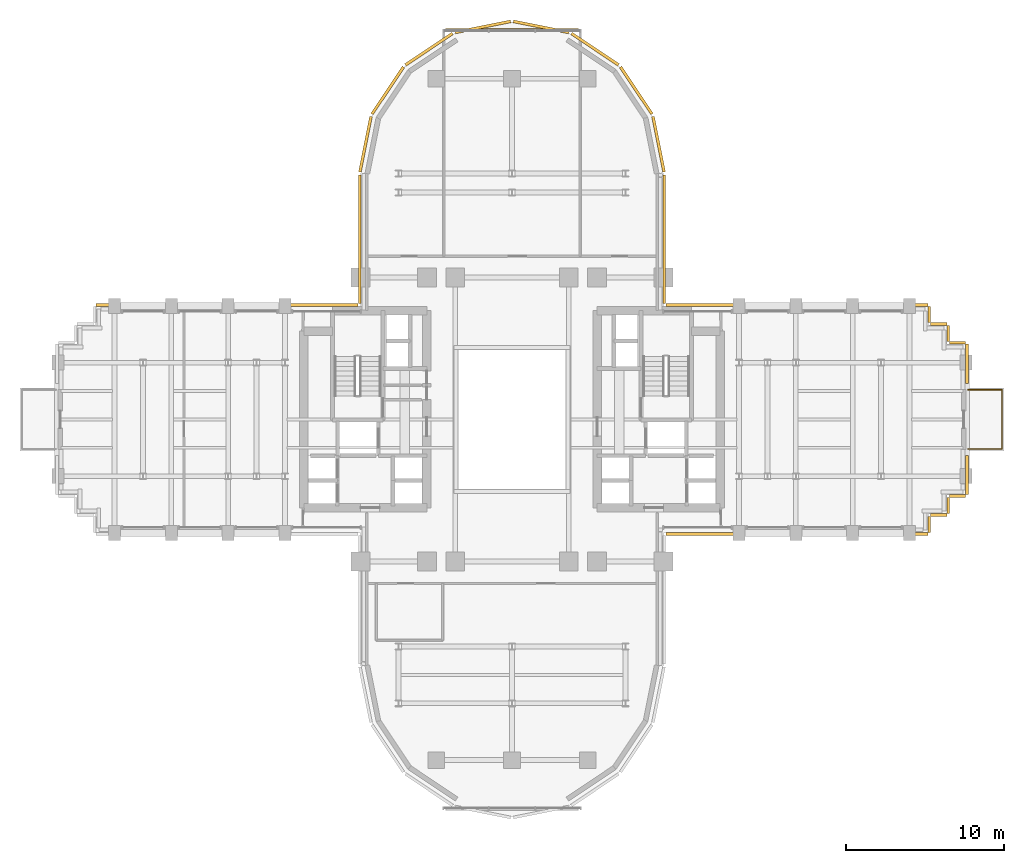
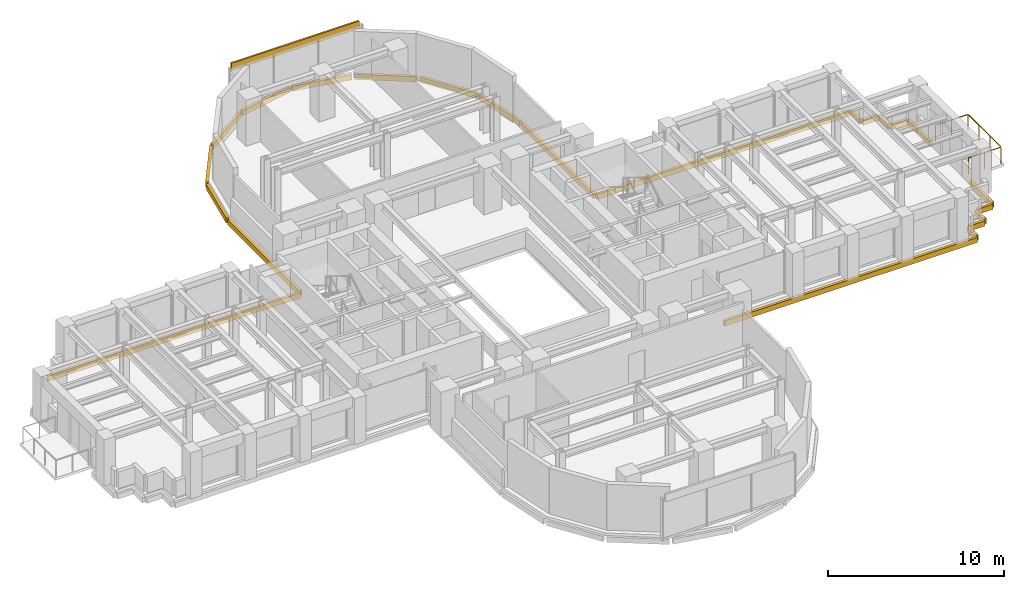
# One storey, part 15 of 15: 24 coverings, 1 railing.
"""IFC4 building model written with IfcOpenShell, lengths in metres."""

from ifc_helpers import new_model, si_unit, direction, frame, origin, origin_2d, place, context, subcontext, project, spatial, rectangle, extrude, source, transform, mapped, material, layer, layer_set, type_object, element, save


model = new_model("IFC4")

# Units and contexts
model_context = context("Model", 3, precision=1e-05, world=origin(), true_north=direction((0.0, 1.0)))
body_context = subcontext(model_context, "Body", "Model", "MODEL_VIEW")
ifc_project = project(units=[si_unit("LENGTHUNIT", "METRE"), si_unit("AREAUNIT", "SQUARE_METRE"), si_unit("VOLUMEUNIT", "CUBIC_METRE"), si_unit("PLANEANGLEUNIT", "RADIAN"), si_unit("MASSUNIT", "GRAM", prefix="KILO")], contexts=[model_context])

# Site, building, storey
site_placement = place(None, origin())
site = spatial("IfcSite", under=ifc_project, at=site_placement, CompositionType="ELEMENT")
building_placement = place(site_placement, origin())
building = spatial("IfcBuilding", under=site, at=building_placement, Name="Keilestroom Media Tower", CompositionType="ELEMENT")
storey_placement = place(building_placement, frame((0.0, 0.0, 47.60009765625)))
storey = spatial("IfcBuildingStorey", under=building, at=storey_placement, Name="L11", CompositionType="ELEMENT", Elevation=47.60009765625)

# Railing
ifc_material_1 = material(Name="Laminated Safety Glass & Stainless Steel", Category="steel")
railing_type = type_object("IfcRailingType", Name="Terrace-And-Atrium-Guard-Balustrade-GD-EXT", PredefinedType="BALUSTRADE", material=ifc_material_1)
railing_placement = place(storey_placement, frame((28.919921875, -1.8798828125, 0.0)))
element("IfcRailing", 1, at=railing_placement, inside=storey, type_object=railing_type, Name="L11 Terrace Perimeter Guard L11-E", PredefinedType="BALUSTRADE", context=body_context, shape_type="SweptSolid", body=[
    extrude(rectangle(XDim=0.048095703125, YDim=0.048095703125, at=origin_2d()), frame((0.0, 0.0, 1.1259765625), z_axis=(1.0, 0.0, 0.0), x_axis=(0.0, 1.0, 0.0)), (0.0, 0.0, 1.0), 2.112060546875),
    extrude(rectangle(XDim=0.048095703125, YDim=0.048095703125, at=origin_2d()), frame((2.16015625, 0.048095703125, 1.1259765625), z_axis=(0.0, 1.0, 0.0), x_axis=(-1.0, 0.0, 0.0)), (0.0, 0.0, 1.0), 3.66357421875),
    extrude(rectangle(XDim=0.048095703125, YDim=0.048095703125, at=origin_2d()), frame((2.112060546875, 3.759765625, 1.1259765625), z_axis=(-1.0, 0.0, 0.0), x_axis=(0.0, -1.0, 0.0)), (0.0, 0.0, 1.0), 2.112060546875),
    extrude(rectangle(XDim=0.0419921875, YDim=0.0419921875, at=origin_2d()), origin(), (0.0, 0.0, 1.0), 1.09375),
    extrude(rectangle(XDim=0.0419921875, YDim=0.0419921875, at=origin_2d()), frame((1.080078125, 0.0, 0.0)), (0.0, 0.0, 1.0), 1.09375),
    extrude(rectangle(XDim=0.0419921875, YDim=0.0419921875, at=origin_2d()), frame((2.16015625, 0.0, 0.0)), (0.0, 0.0, 1.0), 1.09375),
    extrude(rectangle(XDim=0.0419921875, YDim=0.0419921875, at=origin_2d()), frame((2.16015625, 1.253173828125, 0.0)), (0.0, 0.0, 1.0), 1.09375),
    extrude(rectangle(XDim=0.0419921875, YDim=0.0419921875, at=origin_2d()), frame((2.16015625, 2.506591796875, 0.0)), (0.0, 0.0, 1.0), 1.09375),
    extrude(rectangle(XDim=0.0419921875, YDim=0.0419921875, at=origin_2d()), frame((2.16015625, 3.759765625, 0.0)), (0.0, 0.0, 1.0), 1.09375),
    extrude(rectangle(XDim=0.0419921875, YDim=0.0419921875, at=origin_2d()), frame((1.080078125, 3.759765625, 0.0)), (0.0, 0.0, 1.0), 1.09375),
    extrude(rectangle(XDim=0.0419921875, YDim=0.0419921875, at=origin_2d()), frame((0.0, 3.759765625, 0.0)), (0.0, 0.0, 1.0), 1.09375),
])

# Coverings
ifc_material_2 = material(Name="Precast concrete C40/50", Category="concrete")
ifc_layer = layer(ifc_material_2, 0.1201171875)
ifc_layer_set = layer_set([ifc_layer], Name="Precast concrete C40/50")
covering_type = type_object("IfcCoveringType", Name="Exterior-Precast-Spandrel-Cladding-Panel-120", PredefinedType="CLADDING", material=ifc_layer_set)
shared_shape_1 = source(origin(), body_context, "Body", "SweptSolid", [
    extrude(rectangle(XDim=8.39990234375, YDim=0.1201171875, at=origin_2d()), origin(), (0.0, 0.0, 1.0), 0.52001953125),
])
covering_placement = place(storey_placement, frame((0.0, 24.719970703125, 2.68994140625), z_axis=(0.0, 0.0, 1.0), x_axis=(1.0, 0.0, 0.0)))
element("IfcCovering", 2, at=covering_placement, inside=storey, type_object=covering_type, Name="L11 Precast Spandrel Cladding N", PredefinedType="CLADDING", context=body_context, shape_type="MappedRepresentation", body=[
    mapped(shared_shape_1, transform((0.0, 0.0, 0.0), x_axis=(1.0, 0.0, 0.0), y_axis=(0.0, 1.0, 0.0), z_axis=(0.0, 0.0, 1.0), scale=1.0)),
])
shared_shape_2 = source(origin(), body_context, "Body", "SweptSolid", [
    extrude(rectangle(XDim=1.02001953125, YDim=0.179931640625, at=origin_2d()), origin(), (0.0, 0.0, 1.0), 0.360107421875),
])
for number, where, z_axis, x_axis, name in (
    (3, (28.260009765625, -4.860107421875, -0.5400390625), (0.0, 0.0, 1.0), (-1.0, 0.0, 0.0), "L11 Precast Slab-Edge Fascia Cornice 01"),
    (4, (27.659912109375, -5.4599609375, -0.5400390625), (0.0, 0.0, 1.0), (0.0, -1.0, 0.0), "L11 Precast Slab-Edge Fascia Cornice 02"),
    (5, (27.06005859375, -6.06005859375, -0.5400390625), (0.0, 0.0, 1.0), (-1.0, 0.0, 0.0), "L11 Precast Slab-Edge Fascia Cornice 03"),
    (6, (26.4599609375, -6.659912109375, -0.5400390625), (0.0, 0.0, 1.0), (0.0, -1.0, 0.0), "L11 Precast Slab-Edge Fascia Cornice 04"),
    (7, (26.4599609375, 6.659912109375, -0.5400390625), (0.0, 0.0, 1.0), (0.0, -1.0, 0.0), "L11 Precast Slab-Edge Fascia Cornice 39"),
    (8, (27.06005859375, 6.06005859375, -0.5400390625), (0.0, 0.0, 1.0), (1.0, 0.0, 0.0), "L11 Precast Slab-Edge Fascia Cornice 40"),
    (9, (27.659912109375, 5.4599609375, -0.5400390625), (0.0, 0.0, 1.0), (0.0, -1.0, 0.0), "L11 Precast Slab-Edge Fascia Cornice 41"),
    (10, (28.260009765625, 4.860107421875, -0.5400390625), (0.0, 0.0, 1.0), (1.0, 0.0, 0.0), "L11 Precast Slab-Edge Fascia Cornice 42"),
):
    element("IfcCovering", number, at=place(storey_placement, frame(where, z_axis=z_axis, x_axis=x_axis)), inside=storey, type_object=covering_type, Name=name, PredefinedType="CLADDING", context=body_context, shape_type="MappedRepresentation", body=[
        mapped(shared_shape_2, transform((0.0, 0.0, 0.0), x_axis=(1.0, 0.0, 0.0), y_axis=(0.0, 1.0, 0.0), z_axis=(0.0, 0.0, 1.0), scale=1.0)),
    ])
shared_shape_3 = source(origin(), body_context, "Body", "SweptSolid", [
    extrude(rectangle(XDim=16.6201171875, YDim=0.179931640625, at=origin_2d()), origin(), (0.0, 0.0, 1.0), 0.360107421875),
])
for number, where, z_axis, x_axis, name in (
    (11, (18.06005859375, -7.260009765625, -0.5400390625), (0.0, 0.0, 1.0), (-1.0, 0.0, 0.0), "L11 Precast Slab-Edge Fascia Cornice 05"),
    (12, (-18.06005859375, 7.260009765625, -0.5400390625), (0.0, 0.0, 1.0), (1.0, 0.0, 0.0), "L11 Precast Slab-Edge Fascia Cornice 27"),
    (13, (18.06005859375, 7.260009765625, -0.5400390625), (0.0, 0.0, 1.0), (1.0, 0.0, 0.0), "L11 Precast Slab-Edge Fascia Cornice 38"),
):
    element("IfcCovering", number, at=place(storey_placement, frame(where, z_axis=z_axis, x_axis=x_axis)), inside=storey, type_object=covering_type, Name=name, PredefinedType="CLADDING", context=body_context, shape_type="MappedRepresentation", body=[
        mapped(shared_shape_3, transform((0.0, 0.0, 0.0), x_axis=(1.0, 0.0, 0.0), y_axis=(0.0, 1.0, 0.0), z_axis=(0.0, 0.0, 1.0), scale=1.0)),
    ])
shared_shape_4 = source(origin(), body_context, "Body", "SweptSolid", [
    extrude(rectangle(XDim=8.166015625, YDim=0.179931640625, at=origin_2d()), origin(), (0.0, 0.0, 1.0), 0.360107421875),
])
for number, where, z_axis, x_axis, name in (
    (14, (-9.659912109375, 11.43310546875, -0.5400390625), (0.0, 0.0, 1.0), (0.0, 1.0, 0.0), "L11 Precast Slab-Edge Fascia Cornice 28"),
    (15, (9.659912109375, 11.43310546875, -0.5400390625), (0.0, 0.0, 1.0), (0.0, -1.0, 0.0), "L11 Precast Slab-Edge Fascia Cornice 37"),
):
    element("IfcCovering", number, at=place(storey_placement, frame(where, z_axis=z_axis, x_axis=x_axis)), inside=storey, type_object=covering_type, Name=name, PredefinedType="CLADDING", context=body_context, shape_type="MappedRepresentation", body=[
        mapped(shared_shape_4, transform((0.0, 0.0, 0.0), x_axis=(1.0, 0.0, 0.0), y_axis=(0.0, 1.0, 0.0), z_axis=(0.0, 0.0, 1.0), scale=1.0)),
    ])
shared_shape_5 = source(origin(), body_context, "Body", "SweptSolid", [
    extrude(rectangle(XDim=3.58349609375, YDim=0.179931640625, at=origin_2d()), origin(), (0.0, 0.0, 1.0), 0.360107421875),
])
for number, where, z_axis, x_axis, name in (
    (16, (-9.29296875, 17.45166015625, -0.5400390625), (0.0, 0.0, 1.0), (0.195098880975, 0.980783577882, 0.0), "L11 Precast Slab-Edge Fascia Cornice 29"),
    (17, (9.29296875, 17.45166015625, -0.5400390625), (0.0, 0.0, 1.0), (0.195098880975, -0.980783577882, 0.0), "L11 Precast Slab-Edge Fascia Cornice 36"),
):
    element("IfcCovering", number, at=place(storey_placement, frame(where, z_axis=z_axis, x_axis=x_axis)), inside=storey, type_object=covering_type, Name=name, PredefinedType="CLADDING", context=body_context, shape_type="MappedRepresentation", body=[
        mapped(shared_shape_5, transform((0.0, 0.0, 0.0), x_axis=(1.0, 0.0, 0.0), y_axis=(0.0, 1.0, 0.0), z_axis=(0.0, 0.0, 1.0), scale=1.0)),
    ])
shared_shape_6 = source(origin(), body_context, "Body", "SweptSolid", [
    extrude(rectangle(XDim=3.589599609375, YDim=0.179931640625, at=origin_2d()), origin(), (0.0, 0.0, 1.0), 0.360107421875),
])
for number, where, z_axis, x_axis, name in (
    (18, (-7.878662109375, 20.8642578125, -0.5400390625), (0.0, 0.0, 1.0), (0.555574586577, 0.831466703332, 0.0), "L11 Precast Slab-Edge Fascia Cornice 30"),
    (19, (-5.264404296875, 23.478515625, -0.5400390625), (0.0, 0.0, 1.0), (0.831466703332, 0.555574586577, 0.0), "L11 Precast Slab-Edge Fascia Cornice 31"),
    (20, (-1.8486328125, 24.893310546875, -0.5400390625), (0.0, 0.0, 1.0), (0.980783577882, 0.195098880975, 0.0), "L11 Precast Slab-Edge Fascia Cornice 32"),
    (21, (1.8486328125, 24.893310546875, -0.5400390625), (0.0, 0.0, 1.0), (0.980783577882, -0.195098880975, 0.0), "L11 Precast Slab-Edge Fascia Cornice 33"),
    (22, (5.264404296875, 23.478515625, -0.5400390625), (0.0, 0.0, 1.0), (0.831466703332, -0.555574586577, 0.0), "L11 Precast Slab-Edge Fascia Cornice 34"),
    (23, (7.878662109375, 20.8642578125, -0.5400390625), (0.0, 0.0, 1.0), (0.555574586577, -0.831466703332, 0.0), "L11 Precast Slab-Edge Fascia Cornice 35"),
):
    element("IfcCovering", number, at=place(storey_placement, frame(where, z_axis=z_axis, x_axis=x_axis)), inside=storey, type_object=covering_type, Name=name, PredefinedType="CLADDING", context=body_context, shape_type="MappedRepresentation", body=[
        mapped(shared_shape_6, transform((0.0, 0.0, 0.0), x_axis=(1.0, 0.0, 0.0), y_axis=(0.0, 1.0, 0.0), z_axis=(0.0, 0.0, 1.0), scale=1.0)),
    ])
shared_shape_7 = source(origin(), body_context, "Body", "SweptSolid", [
    extrude(rectangle(XDim=2.5, YDim=0.179931640625, at=origin_2d()), origin(), (0.0, 0.0, 1.0), 0.360107421875),
])
for number, where, z_axis, x_axis, name in (
    (24, (28.860107421875, 3.52001953125, -0.5400390625), (0.0, 0.0, 1.0), (0.0, -1.0, 0.0), "L11 Precast Slab-Edge Fascia Cornice 43"),
    (25, (28.860107421875, -3.52001953125, -0.5400390625), (0.0, 0.0, 1.0), (0.0, -1.0, 0.0), "L11 Precast Slab-Edge Fascia Cornice 44"),
):
    element("IfcCovering", number, at=place(storey_placement, frame(where, z_axis=z_axis, x_axis=x_axis)), inside=storey, type_object=covering_type, Name=name, PredefinedType="CLADDING", context=body_context, shape_type="MappedRepresentation", body=[
        mapped(shared_shape_7, transform((0.0, 0.0, 0.0), x_axis=(1.0, 0.0, 0.0), y_axis=(0.0, 1.0, 0.0), z_axis=(0.0, 0.0, 1.0), scale=1.0)),
    ])

save(model, "model.ifc")
